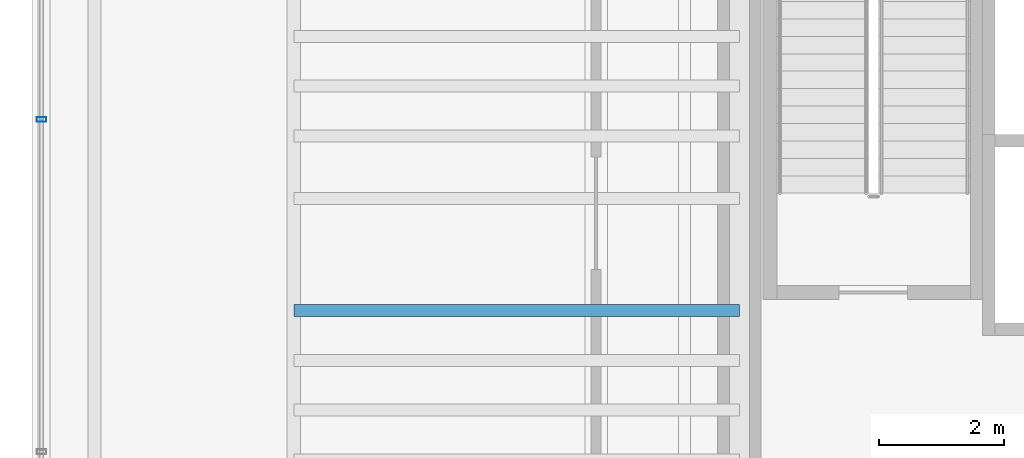
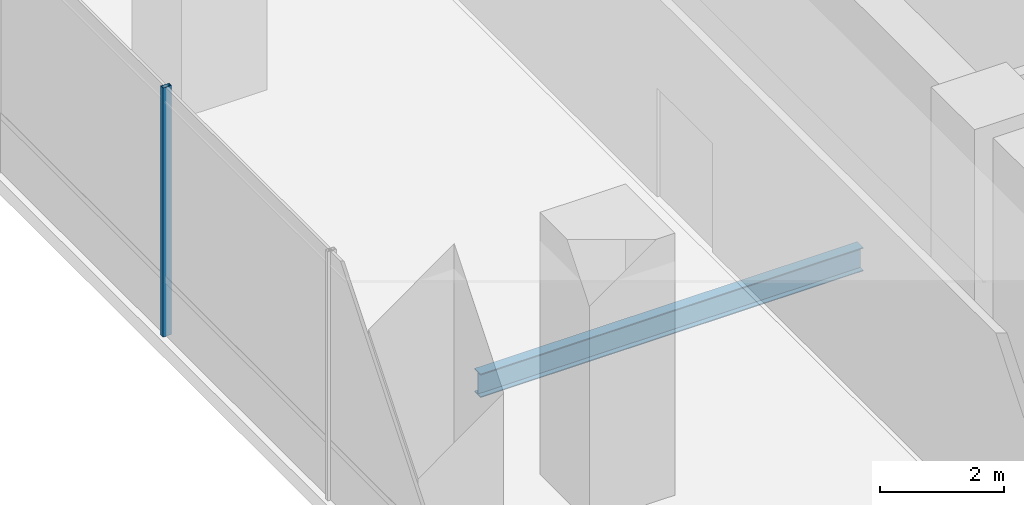
# One storey, part 4 of 39: 1 beam, 1 member, 1 element without a shape of its own.
"""IFC4 building model written with IfcOpenShell, lengths in metres."""

from ifc_helpers import new_model, si_unit, direction, frame, origin, origin_2d, place, context, subcontext, project, spatial, hollow_rectangle, i_section, extrude, source, transform, mapped, material, material_profile, profile_set, type_object, element, aggregate, save


model = new_model("IFC4")

# Units and contexts
model_context = context("Model", 3, precision=1e-05, world=origin(), true_north=direction((0.0, 1.0)))
body_context = subcontext(model_context, "Body", "Model", "MODEL_VIEW")
ifc_project = project(units=[si_unit("LENGTHUNIT", "METRE"), si_unit("AREAUNIT", "SQUARE_METRE"), si_unit("VOLUMEUNIT", "CUBIC_METRE"), si_unit("PLANEANGLEUNIT", "RADIAN"), si_unit("MASSUNIT", "GRAM", prefix="KILO")], contexts=[model_context])

# Site, building, storey
site_placement = place(None, origin())
site = spatial("IfcSite", under=ifc_project, at=site_placement, CompositionType="ELEMENT")
building_placement = place(site_placement, origin())
building = spatial("IfcBuilding", under=site, at=building_placement, Name="Valdorenza Pilgrim Sanctuary Tower", CompositionType="ELEMENT")
storey_placement = place(building_placement, frame((0.0, 0.0, 10.39990234375)))
storey = spatial("IfcBuildingStorey", under=building, at=storey_placement, Name="L02", CompositionType="ELEMENT", Elevation=10.39990234375)

# Beam
ifc_material_1 = material(Name="Steel ASTM A992 Grade 50", Category="steel")
ifc_material_profile_1 = material_profile(ifc_material_1, i_section(OverallWidth=0.193115234375, OverallDepth=0.466064453125, WebThickness=0.011474609375, FlangeThickness=0.01904296875, at=origin_2d()), Name="W18X65")
ifc_profile_set_1 = profile_set([ifc_material_profile_1], Name="Steel ASTM A992 Grade 50")
beam_type = type_object("IfcBeamType", Name="STR-BM-JST-W18A", PredefinedType="JOIST", material=ifc_profile_set_1)
shared_shape_1 = source(origin(), body_context, "Body", "SweptSolid", [
    extrude(i_section(OverallWidth=0.193115234375, OverallDepth=0.466064453125, WebThickness=0.011474609375, FlangeThickness=0.01904296875, at=origin_2d()), origin(), (0.0, 0.0, 1.0), 7.150146484375),
])
beam_placement = place(storey_placement, frame((-29.800048828125, 1.60009765625, -0.512939453125), z_axis=(1.0, 0.0, 0.0), x_axis=(0.0, 1.0, 0.0)))
element("IfcBeam", 1, at=beam_placement, inside=storey, type_object=beam_type, Name="L02 Composite Floor Joist JST-WA-14", PredefinedType="JOIST", context=body_context, shape_type="MappedRepresentation", body=[
    mapped(shared_shape_1, transform((0.0, 0.0, 0.0), x_axis=(1.0, 0.0, 0.0), y_axis=(0.0, 1.0, 0.0), z_axis=(0.0, 0.0, 1.0), scale=1.0)),
])

# Curtain wall, member
ifc_material_2 = material(Name="Curtain-wall IGU glazing", Category="glass")
curtain_wall_type = type_object("IfcCurtainWallType", Name="CW-SYS-01", PredefinedType="NOTDEFINED", material=ifc_material_2)
curtain_wall_placement = place(storey_placement, origin())
curtain_wall = element("IfcCurtainWall", 2, at=curtain_wall_placement, inside=storey, type_object=curtain_wall_type, Name="L02 Curtain Wall CW-POD-L02-WW", PredefinedType="NOTDEFINED")
ifc_material_3 = material(Name="Anodised aluminium AW-6060", Category="aluminium")
ifc_material_profile_2 = material_profile(ifc_material_3, hollow_rectangle(XDim=0.074951171875, YDim=0.159912109375, WallThickness=0.00390625, at=origin_2d()), Name="ALU-M 160x75x4")
ifc_profile_set_2 = profile_set([ifc_material_profile_2], Name="Anodised aluminium AW-6060")
member_type = type_object("IfcMemberType", Name="CW-MUL-01", PredefinedType="MULLION", material=ifc_profile_set_2)
shared_shape_2 = source(origin(), body_context, "Body", "SweptSolid", [
    extrude(hollow_rectangle(XDim=0.074951171875, YDim=0.159912109375, WallThickness=0.00390625, at=origin_2d()), origin(), (0.0, 0.0, 1.0), 4.920166015625),
])
member_placement = place(storey_placement, frame((-33.85009765625, 4.666748046875, 0.0), z_axis=(0.0, 0.0, 1.0), x_axis=(0.0, 1.0, 0.0)))
member = element("IfcMember", 3, at=member_placement, type_object=member_type, Name="CW-POD-L02-WW Mullion 3", PredefinedType="MULLION", context=body_context, shape_type="MappedRepresentation", body=[
    mapped(shared_shape_2, transform((0.0, 0.0, 0.0), x_axis=(1.0, 0.0, 0.0), y_axis=(0.0, 1.0, 0.0), z_axis=(0.0, 0.0, 1.0), scale=1.0)),
])
aggregate(curtain_wall, [member])

save(model, "model.ifc")
